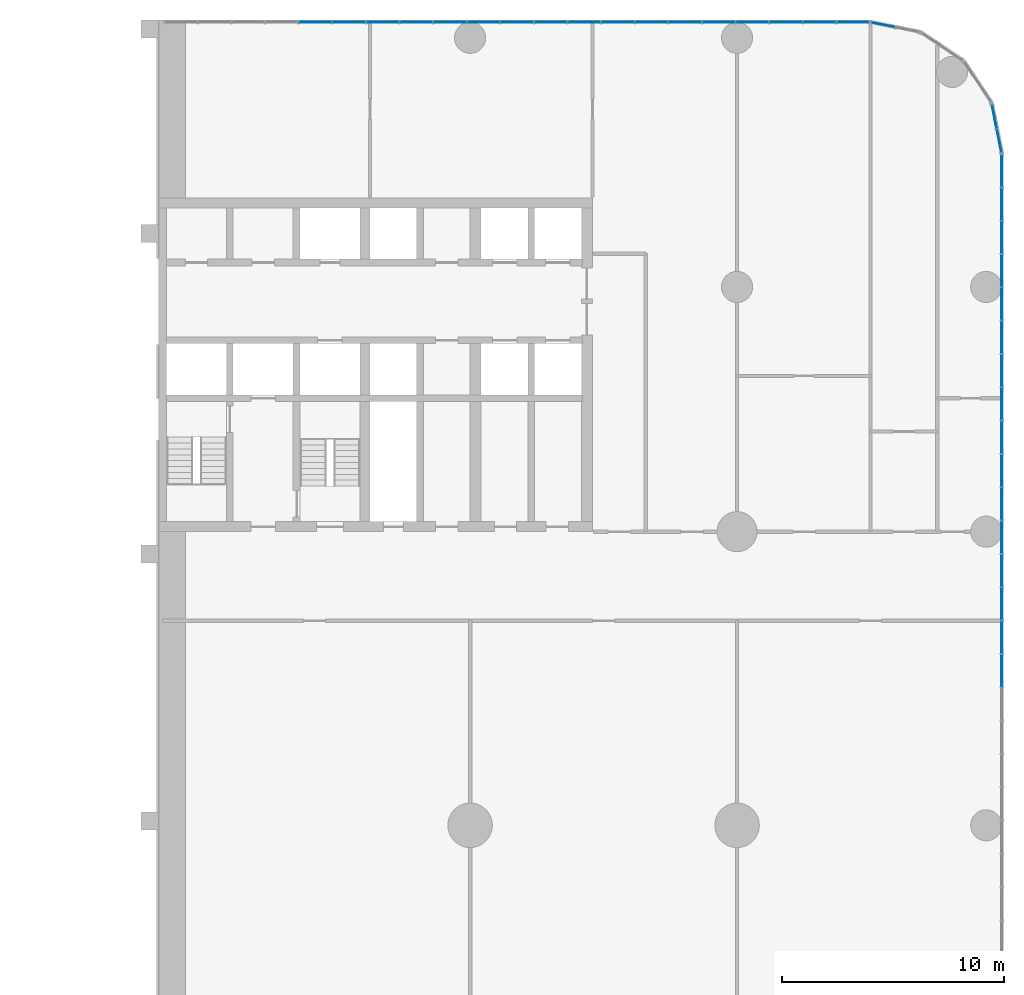
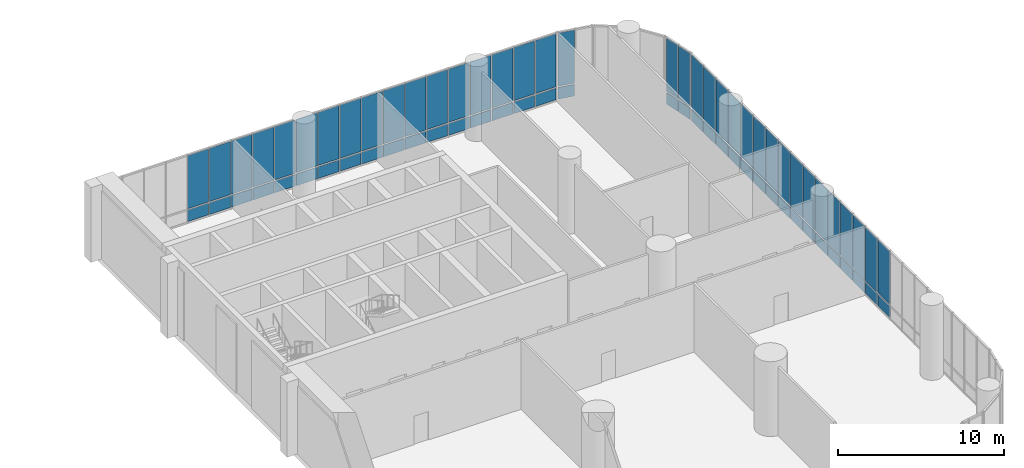
# One storey, part 20 of 28: 72 plates, 4 elements without a shape of their own.
"""IFC4 building model written with IfcOpenShell, lengths in metres."""

import ifcopenshell
import ifcopenshell.guid

model = None  # the IFC model being written
_history = None  # IfcOwnerHistory: only IFC2X3 demands one
_inside = {}  # id of a spatial element -> (the spatial element, [elements in it])
_under = {}  # id of a project, library or spatial element -> (it, [spatial elements below it])
_declared = {}  # id of a project -> (the project, [libraries it declares])
_typed = {}  # id of a type object -> (the type object, [elements of that type])
_made_of = {}  # id of a material, layer set ... -> (it, [elements and type objects made of it])


def new_model(schema):
    """Start an empty IFC model of exactly this schema.

    Asked for "IFC4X3", IfcOpenShell would pick the latest addendum, in which some entities
    have other attributes; the version numbers below select the first issue.
    IFC2X3 requires an IfcOwnerHistory on every rooted entity: one is made here for all.
    """
    global model, _history
    if schema == "IFC4X3":
        model = ifcopenshell.file(schema_version=(4, 3, 0, 0))
    else:
        model = ifcopenshell.file(schema=schema)
    _inside.clear()
    _under.clear()
    _declared.clear()
    _typed.clear()
    _made_of.clear()
    _history = None
    if model.schema == "IFC2X3":
        org = make("IfcOrganization", Name="unknown")
        user = make(
            "IfcPersonAndOrganization",
            ThePerson=make("IfcPerson", FamilyName="unknown"),
            TheOrganization=org,
        )
        app = make(
            "IfcApplication",
            ApplicationDeveloper=org,
            Version="unknown",
            ApplicationFullName="unknown",
            ApplicationIdentifier="unknown",
        )
        _history = make(
            "IfcOwnerHistory",
            OwningUser=user,
            OwningApplication=app,
            ChangeAction="ADDED",
            CreationDate=0,
        )
    return model


def make(cls, **values):
    """One entity of the class cls with the attributes given. An attribute that is None is left unset."""
    return model.create_entity(
        cls, **{name: value for name, value in values.items() if value is not None}
    )


def rooted(cls, **values):
    """An entity with a GlobalId (a new one), such as an element, a storey or a relation."""
    return make(cls, GlobalId=ifcopenshell.guid.new(), OwnerHistory=_history, **values)


def si_unit(unit_type, name, prefix=None):
    """IfcSIUnit, for example si_unit("LENGTHUNIT", "METRE", prefix="MILLI")."""
    return make("IfcSIUnit", UnitType=unit_type, Prefix=prefix, Name=name)


def assignment(units):
    """IfcUnitAssignment: the units of a project."""
    return None if units is None else make("IfcUnitAssignment", Units=units)


def point(xyz):
    """IfcCartesianPoint."""
    return None if xyz is None else make("IfcCartesianPoint", Coordinates=xyz)


def direction(xyz):
    """IfcDirection."""
    return None if xyz is None else make("IfcDirection", DirectionRatios=xyz)


def frame(location, z_axis=None, x_axis=None):
    """IfcAxis2Placement3D, a coordinate frame: its origin and axes. An axis left out is left unset."""
    return make(
        "IfcAxis2Placement3D",
        Location=point(location),
        Axis=direction(z_axis),
        RefDirection=direction(x_axis),
    )


def frame_2d(location, x_axis=None):
    """IfcAxis2Placement2D, a coordinate frame in the plane: its origin and x axis."""
    return make(
        "IfcAxis2Placement2D", Location=point(location), RefDirection=direction(x_axis)
    )


def origin():
    """The frame at (0, 0, 0) with its axes left unset."""
    return frame((0.0, 0.0, 0.0))


def origin_2d():
    """The frame at (0, 0) in the plane with its x axis left unset."""
    return frame_2d((0.0, 0.0))


def place(relative_to, where):
    """IfcLocalPlacement: puts the frame where relative to a parent placement (None: the world)."""
    return make(
        "IfcLocalPlacement", PlacementRelTo=relative_to, RelativePlacement=where
    )


def context(
    kind, dimensions, precision=None, world=None, true_north=None, identifier=None
):
    """IfcGeometricRepresentationContext, for example the 3D "Model" context."""
    return make(
        "IfcGeometricRepresentationContext",
        ContextIdentifier=identifier,
        ContextType=kind,
        CoordinateSpaceDimension=dimensions,
        Precision=precision,
        WorldCoordinateSystem=world,
        TrueNorth=true_north,
    )


def subcontext(parent, identifier, kind, view, scale=None):
    """IfcGeometricRepresentationSubContext, for example "Body" below "Model"."""
    return make(
        "IfcGeometricRepresentationSubContext",
        ContextIdentifier=identifier,
        ContextType=kind,
        ParentContext=parent,
        TargetScale=scale,
        TargetView=view,
    )


def project(units=None, contexts=None):
    """IfcProject with its units and contexts."""
    return rooted(
        "IfcProject",
        Name="project",
        RepresentationContexts=contexts,
        UnitsInContext=assignment(units),
    )


def spatial(cls, under=None, at=None, **own):
    """A site, building, storey or space (cls), placed at a placement, below another one or the project."""
    s = rooted(cls, ObjectPlacement=at, **own)
    if under is not None:
        _under.setdefault(under.id(), (under, []))[1].append(s)
    return s


def profile(cls, at=None, kind="AREA", **sizes):
    """A parametric profile (cls). Its sizes go by their IFC names, for example OverallWidth=200.0."""
    return make(cls, ProfileType=kind, Position=at, **sizes)


def rectangle(**sizes):
    """IfcRectangleProfileDef."""
    return profile("IfcRectangleProfileDef", **sizes)


def extrude(swept, where, along, depth):
    """IfcExtrudedAreaSolid: the profile swept, set in the frame where, extruded along a direction by depth."""
    return make(
        "IfcExtrudedAreaSolid",
        SweptArea=swept,
        Position=where,
        ExtrudedDirection=direction(along),
        Depth=depth,
    )


def shape(context_of_items, identifier, shape_type, items):
    """IfcShapeRepresentation: the items that make up one representation, for example the "Body"."""
    return make(
        "IfcShapeRepresentation",
        ContextOfItems=context_of_items,
        RepresentationIdentifier=identifier,
        RepresentationType=shape_type,
        Items=items,
    )


def material(Name=None, Category=None):
    """IfcMaterial."""
    return make("IfcMaterial", Name=Name, Category=Category)


def layer(
    of_material, thickness, ventilated=None, Name=None, Category=None, Priority=None
):
    """IfcMaterialLayer: one layer of a wall or slab, of a material (None: an air gap)."""
    return make(
        "IfcMaterialLayer",
        Material=of_material,
        LayerThickness=thickness,
        IsVentilated=ventilated,
        Name=Name,
        Category=Category,
        Priority=Priority,
    )


def layer_set(layers, Name=None):
    """IfcMaterialLayerSet."""
    return make("IfcMaterialLayerSet", MaterialLayers=layers, LayerSetName=Name)


def made_of(thing, what):
    """Note that an element or type object is made of a material, layer set ...; save() writes the relation."""
    if what is not None:
        _made_of.setdefault(what.id(), (what, []))[1].append(thing)
    return thing


def type_object(cls, material=None, **own):
    """A type object (cls), such as IfcWallType, which elements share."""
    return made_of(rooted(cls, **own), material)


def element(
    cls,
    number,
    at=None,
    inside=None,
    cuts=None,
    type_object=None,
    material=None,
    context=None,
    identifier="Body",
    shape_type=None,
    held_by="IfcProductDefinitionShape",
    body=None,
    shapes=None,
    **own,
):
    """One element of the class cls, such as IfcWall. Its Tag is "e" and its number.

    at: its placement. inside: the storey or other place that contains it. cuts: it is an
    opening in that element (IfcRelVoidsElement). A single representation is given by context,
    identifier, shape_type and body (its items); several are given by shapes. held_by: the class
    of the entity that holds the representations. save() writes the other relations.
    """
    e = rooted(cls, Tag="e%d" % number, ObjectPlacement=at, **own)
    if body is not None:
        shapes = [shape(context, identifier, shape_type, body)]
    if shapes is not None:
        e.Representation = make(held_by, Representations=shapes)
    if inside is not None:
        _inside.setdefault(inside.id(), (inside, []))[1].append(e)
    if cuts is not None:
        rooted(
            "IfcRelVoidsElement", RelatingBuildingElement=cuts, RelatedOpeningElement=e
        )
    if type_object is not None:
        _typed.setdefault(type_object.id(), (type_object, []))[1].append(e)
    return made_of(e, material)


def aggregate(whole, parts):
    """IfcRelAggregates: a whole, such as a stair, and the parts it consists of."""
    return rooted("IfcRelAggregates", RelatingObject=whole, RelatedObjects=parts)


def save(model, path):
    """Write the relations noted so far, then the file.

    IfcRelAggregates (storeys below a building ...), IfcRelContainedInSpatialStructure (elements
    in a storey), IfcRelDefinesByType, IfcRelAssociatesMaterial and IfcRelDeclares: one each for
    every whole, place, type object, material and project.
    """
    for whole, parts in _under.values():
        aggregate(whole, parts)
    for where, things in _inside.values():
        rooted(
            "IfcRelContainedInSpatialStructure",
            RelatedElements=things,
            RelatingStructure=where,
        )
    for kind, things in _typed.values():
        rooted("IfcRelDefinesByType", RelatedObjects=things, RelatingType=kind)
    for what, things in _made_of.values():
        rooted("IfcRelAssociatesMaterial", RelatedObjects=things, RelatingMaterial=what)
    for by, libraries in _declared.values():
        rooted("IfcRelDeclares", RelatingContext=by, RelatedDefinitions=libraries)
    model.write(path)


model = new_model("IFC4")

# Units and contexts
model_context = context("Model", 3, precision=1e-05, world=origin(), true_north=direction((0.0, 1.0)))
body_context = subcontext(model_context, "Body", "Model", "MODEL_VIEW")
ifc_project = project(units=[si_unit("LENGTHUNIT", "METRE"), si_unit("AREAUNIT", "SQUARE_METRE"), si_unit("VOLUMEUNIT", "CUBIC_METRE"), si_unit("PLANEANGLEUNIT", "RADIAN"), si_unit("MASSUNIT", "GRAM", prefix="KILO")], contexts=[model_context])

# Site, building, storey
site_placement = place(None, origin())
site = spatial("IfcSite", under=ifc_project, at=site_placement, CompositionType="ELEMENT")
building_placement = place(site_placement, origin())
building = spatial("IfcBuilding", under=site, at=building_placement, Name="Torana Hotel and Residences", CompositionType="ELEMENT")
storey_placement = place(building_placement, frame((0.0, 0.0, 7.0)))
storey = spatial("IfcBuildingStorey", under=building, at=storey_placement, Name="L01", CompositionType="ELEMENT", Elevation=7.0)

# Curtain wall, plates
ifc_material_1 = material(Name="Dark anodised aluminium", Category="aluminium")
ifc_layer_1 = layer(ifc_material_1, 0.14990234375)
ifc_layer_set_1 = layer_set([ifc_layer_1], Name="CW5 PODIUM UPPER UNITISED CURTAIN WALL")
curtain_wall_type = type_object("IfcCurtainWallType", Name="CW5 PODIUM UPPER UNITISED CURTAIN WALL", PredefinedType="NOTDEFINED", material=ifc_layer_set_1)
curtain_wall_1_placement = place(storey_placement, origin())
curtain_wall_1 = element("IfcCurtainWall", 1, at=curtain_wall_1_placement, inside=storey, type_object=curtain_wall_type, Name="Curtain wall CW5 L01 e1.5", PredefinedType="NOTDEFINED")
ifc_material_2 = material(Name="Glass clear low-iron laminated double glazed unit", Category="glass")
ifc_layer_2 = layer(ifc_material_2, 0.035888671875)
ifc_layer_set_2 = layer_set([ifc_layer_2], Name="CW5 DARK GLASS PANEL 36")
plate_type = type_object("IfcPlateType", Name="CW5 DARK GLASS PANEL 36", PredefinedType="CURTAIN_PANEL", material=ifc_layer_set_2)
plate_1_placement = place(storey_placement, frame((47.89990234375, -21.242919921875, 0.099853515625), z_axis=(0.0, 0.0, 1.0), x_axis=(0.0, 1.0, 0.0)))
plate_1 = element("IfcPlate", 2, at=plate_1_placement, type_object=plate_type, Name="CW5 panel 9.1", PredefinedType="CURTAIN_PANEL", context=body_context, shape_type="SweptSolid", body=[
    extrude(rectangle(XDim=1.43798828125, YDim=0.035888671875, at=origin_2d()), origin(), (0.0, 0.0, 1.0), 0.85009765625),
])
plate_2_placement = place(storey_placement, frame((47.89990234375, -21.242919921875, 1.050048828125), z_axis=(0.0, 0.0, 1.0), x_axis=(0.0, 1.0, 0.0)))
plate_2 = element("IfcPlate", 3, at=plate_2_placement, type_object=plate_type, Name="CW5 panel 9.2", PredefinedType="CURTAIN_PANEL", context=body_context, shape_type="SweptSolid", body=[
    extrude(rectangle(XDim=1.43798828125, YDim=0.035888671875, at=origin_2d()), origin(), (0.0, 0.0, 1.0), 3.89990234375),
])
plate_3_placement = place(storey_placement, frame((47.89990234375, -19.744873046875, 0.099853515625), z_axis=(0.0, 0.0, 1.0), x_axis=(0.0, 1.0, 0.0)))
plate_3 = element("IfcPlate", 4, at=plate_3_placement, type_object=plate_type, Name="CW5 panel 10.1", PredefinedType="CURTAIN_PANEL", context=body_context, shape_type="SweptSolid", body=[
    extrude(rectangle(XDim=1.43798828125, YDim=0.035888671875, at=origin_2d()), origin(), (0.0, 0.0, 1.0), 0.85009765625),
])
plate_4_placement = place(storey_placement, frame((47.89990234375, -19.744873046875, 1.050048828125), z_axis=(0.0, 0.0, 1.0), x_axis=(0.0, 1.0, 0.0)))
plate_4 = element("IfcPlate", 5, at=plate_4_placement, type_object=plate_type, Name="CW5 panel 10.2", PredefinedType="CURTAIN_PANEL", context=body_context, shape_type="SweptSolid", body=[
    extrude(rectangle(XDim=1.43798828125, YDim=0.035888671875, at=origin_2d()), origin(), (0.0, 0.0, 1.0), 3.89990234375),
])
plate_5_placement = place(storey_placement, frame((47.89990234375, -18.246826171875, 0.099853515625), z_axis=(0.0, 0.0, 1.0), x_axis=(0.0, 1.0, 0.0)))
plate_5 = element("IfcPlate", 6, at=plate_5_placement, type_object=plate_type, Name="CW5 panel 11.1", PredefinedType="CURTAIN_PANEL", context=body_context, shape_type="SweptSolid", body=[
    extrude(rectangle(XDim=1.43798828125, YDim=0.035888671875, at=origin_2d()), origin(), (0.0, 0.0, 1.0), 0.85009765625),
])
plate_6_placement = place(storey_placement, frame((47.89990234375, -18.246826171875, 1.050048828125), z_axis=(0.0, 0.0, 1.0), x_axis=(0.0, 1.0, 0.0)))
plate_6 = element("IfcPlate", 7, at=plate_6_placement, type_object=plate_type, Name="CW5 panel 11.2", PredefinedType="CURTAIN_PANEL", context=body_context, shape_type="SweptSolid", body=[
    extrude(rectangle(XDim=1.43798828125, YDim=0.035888671875, at=origin_2d()), origin(), (0.0, 0.0, 1.0), 3.89990234375),
])
plate_7_placement = place(storey_placement, frame((47.89990234375, -16.7490234375, 0.099853515625), z_axis=(0.0, 0.0, 1.0), x_axis=(0.0, 1.0, 0.0)))
plate_7 = element("IfcPlate", 8, at=plate_7_placement, type_object=plate_type, Name="CW5 panel 12.1", PredefinedType="CURTAIN_PANEL", context=body_context, shape_type="SweptSolid", body=[
    extrude(rectangle(XDim=1.43798828125, YDim=0.035888671875, at=origin_2d()), origin(), (0.0, 0.0, 1.0), 0.85009765625),
])
plate_8_placement = place(storey_placement, frame((47.89990234375, -16.7490234375, 1.050048828125), z_axis=(0.0, 0.0, 1.0), x_axis=(0.0, 1.0, 0.0)))
plate_8 = element("IfcPlate", 9, at=plate_8_placement, type_object=plate_type, Name="CW5 panel 12.2", PredefinedType="CURTAIN_PANEL", context=body_context, shape_type="SweptSolid", body=[
    extrude(rectangle(XDim=1.43798828125, YDim=0.035888671875, at=origin_2d()), origin(), (0.0, 0.0, 1.0), 3.89990234375),
])
plate_9_placement = place(storey_placement, frame((47.89990234375, -15.2509765625, 0.099853515625), z_axis=(0.0, 0.0, 1.0), x_axis=(0.0, 1.0, 0.0)))
plate_9 = element("IfcPlate", 10, at=plate_9_placement, type_object=plate_type, Name="CW5 panel 13.1", PredefinedType="CURTAIN_PANEL", context=body_context, shape_type="SweptSolid", body=[
    extrude(rectangle(XDim=1.43798828125, YDim=0.035888671875, at=origin_2d()), origin(), (0.0, 0.0, 1.0), 0.85009765625),
])
plate_10_placement = place(storey_placement, frame((47.89990234375, -15.2509765625, 1.050048828125), z_axis=(0.0, 0.0, 1.0), x_axis=(0.0, 1.0, 0.0)))
plate_10 = element("IfcPlate", 11, at=plate_10_placement, type_object=plate_type, Name="CW5 panel 13.2", PredefinedType="CURTAIN_PANEL", context=body_context, shape_type="SweptSolid", body=[
    extrude(rectangle(XDim=1.43798828125, YDim=0.035888671875, at=origin_2d()), origin(), (0.0, 0.0, 1.0), 3.89990234375),
])
plate_11_placement = place(storey_placement, frame((47.89990234375, -13.753173828125, 0.099853515625), z_axis=(0.0, 0.0, 1.0), x_axis=(0.0, 1.0, 0.0)))
plate_11 = element("IfcPlate", 12, at=plate_11_placement, type_object=plate_type, Name="CW5 panel 14.1", PredefinedType="CURTAIN_PANEL", context=body_context, shape_type="SweptSolid", body=[
    extrude(rectangle(XDim=1.43798828125, YDim=0.035888671875, at=origin_2d()), origin(), (0.0, 0.0, 1.0), 0.85009765625),
])
plate_12_placement = place(storey_placement, frame((47.89990234375, -13.753173828125, 1.050048828125), z_axis=(0.0, 0.0, 1.0), x_axis=(0.0, 1.0, 0.0)))
plate_12 = element("IfcPlate", 13, at=plate_12_placement, type_object=plate_type, Name="CW5 panel 14.2", PredefinedType="CURTAIN_PANEL", context=body_context, shape_type="SweptSolid", body=[
    extrude(rectangle(XDim=1.43798828125, YDim=0.035888671875, at=origin_2d()), origin(), (0.0, 0.0, 1.0), 3.89990234375),
])
plate_13_placement = place(storey_placement, frame((47.89990234375, -12.255126953125, 0.099853515625), z_axis=(0.0, 0.0, 1.0), x_axis=(0.0, 1.0, 0.0)))
plate_13 = element("IfcPlate", 14, at=plate_13_placement, type_object=plate_type, Name="CW5 panel 15.1", PredefinedType="CURTAIN_PANEL", context=body_context, shape_type="SweptSolid", body=[
    extrude(rectangle(XDim=1.43798828125, YDim=0.035888671875, at=origin_2d()), origin(), (0.0, 0.0, 1.0), 0.85009765625),
])
plate_14_placement = place(storey_placement, frame((47.89990234375, -12.255126953125, 1.050048828125), z_axis=(0.0, 0.0, 1.0), x_axis=(0.0, 1.0, 0.0)))
plate_14 = element("IfcPlate", 15, at=plate_14_placement, type_object=plate_type, Name="CW5 panel 15.2", PredefinedType="CURTAIN_PANEL", context=body_context, shape_type="SweptSolid", body=[
    extrude(rectangle(XDim=1.43798828125, YDim=0.035888671875, at=origin_2d()), origin(), (0.0, 0.0, 1.0), 3.89990234375),
])
plate_15_placement = place(storey_placement, frame((47.89990234375, -10.757080078125, 0.099853515625), z_axis=(0.0, 0.0, 1.0), x_axis=(0.0, 1.0, 0.0)))
plate_15 = element("IfcPlate", 16, at=plate_15_placement, type_object=plate_type, Name="CW5 panel 16.1", PredefinedType="CURTAIN_PANEL", context=body_context, shape_type="SweptSolid", body=[
    extrude(rectangle(XDim=1.43798828125, YDim=0.035888671875, at=origin_2d()), origin(), (0.0, 0.0, 1.0), 0.85009765625),
])
plate_16_placement = place(storey_placement, frame((47.89990234375, -10.757080078125, 1.050048828125), z_axis=(0.0, 0.0, 1.0), x_axis=(0.0, 1.0, 0.0)))
plate_16 = element("IfcPlate", 17, at=plate_16_placement, type_object=plate_type, Name="CW5 panel 16.2", PredefinedType="CURTAIN_PANEL", context=body_context, shape_type="SweptSolid", body=[
    extrude(rectangle(XDim=1.43798828125, YDim=0.035888671875, at=origin_2d()), origin(), (0.0, 0.0, 1.0), 3.89990234375),
])
plate_17_placement = place(storey_placement, frame((47.89990234375, -9.25927734375, 0.099853515625), z_axis=(0.0, 0.0, 1.0), x_axis=(0.0, 1.0, 0.0)))
plate_17 = element("IfcPlate", 18, at=plate_17_placement, type_object=plate_type, Name="CW5 panel 17.1", PredefinedType="CURTAIN_PANEL", context=body_context, shape_type="SweptSolid", body=[
    extrude(rectangle(XDim=1.43798828125, YDim=0.035888671875, at=origin_2d()), origin(), (0.0, 0.0, 1.0), 0.85009765625),
])
plate_18_placement = place(storey_placement, frame((47.89990234375, -9.25927734375, 1.050048828125), z_axis=(0.0, 0.0, 1.0), x_axis=(0.0, 1.0, 0.0)))
plate_18 = element("IfcPlate", 19, at=plate_18_placement, type_object=plate_type, Name="CW5 panel 17.2", PredefinedType="CURTAIN_PANEL", context=body_context, shape_type="SweptSolid", body=[
    extrude(rectangle(XDim=1.43798828125, YDim=0.035888671875, at=origin_2d()), origin(), (0.0, 0.0, 1.0), 3.89990234375),
])
plate_19_placement = place(storey_placement, frame((47.89990234375, -7.76123046875, 0.099853515625), z_axis=(0.0, 0.0, 1.0), x_axis=(0.0, 1.0, 0.0)))
plate_19 = element("IfcPlate", 20, at=plate_19_placement, type_object=plate_type, Name="CW5 panel 18.1", PredefinedType="CURTAIN_PANEL", context=body_context, shape_type="SweptSolid", body=[
    extrude(rectangle(XDim=1.43798828125, YDim=0.035888671875, at=origin_2d()), origin(), (0.0, 0.0, 1.0), 0.85009765625),
])
plate_20_placement = place(storey_placement, frame((47.89990234375, -7.76123046875, 1.050048828125), z_axis=(0.0, 0.0, 1.0), x_axis=(0.0, 1.0, 0.0)))
plate_20 = element("IfcPlate", 21, at=plate_20_placement, type_object=plate_type, Name="CW5 panel 18.2", PredefinedType="CURTAIN_PANEL", context=body_context, shape_type="SweptSolid", body=[
    extrude(rectangle(XDim=1.43798828125, YDim=0.035888671875, at=origin_2d()), origin(), (0.0, 0.0, 1.0), 3.89990234375),
])
plate_21_placement = place(storey_placement, frame((47.89990234375, -6.263427734375, 0.099853515625), z_axis=(0.0, 0.0, 1.0), x_axis=(0.0, 1.0, 0.0)))
plate_21 = element("IfcPlate", 22, at=plate_21_placement, type_object=plate_type, Name="CW5 panel 19.1", PredefinedType="CURTAIN_PANEL", context=body_context, shape_type="SweptSolid", body=[
    extrude(rectangle(XDim=1.43798828125, YDim=0.035888671875, at=origin_2d()), origin(), (0.0, 0.0, 1.0), 0.85009765625),
])
plate_22_placement = place(storey_placement, frame((47.89990234375, -6.263427734375, 1.050048828125), z_axis=(0.0, 0.0, 1.0), x_axis=(0.0, 1.0, 0.0)))
plate_22 = element("IfcPlate", 23, at=plate_22_placement, type_object=plate_type, Name="CW5 panel 19.2", PredefinedType="CURTAIN_PANEL", context=body_context, shape_type="SweptSolid", body=[
    extrude(rectangle(XDim=1.43798828125, YDim=0.035888671875, at=origin_2d()), origin(), (0.0, 0.0, 1.0), 3.89990234375),
])
plate_23_placement = place(storey_placement, frame((47.89990234375, -4.765380859375, 0.099853515625), z_axis=(0.0, 0.0, 1.0), x_axis=(0.0, 1.0, 0.0)))
plate_23 = element("IfcPlate", 24, at=plate_23_placement, type_object=plate_type, Name="CW5 panel 20.1", PredefinedType="CURTAIN_PANEL", context=body_context, shape_type="SweptSolid", body=[
    extrude(rectangle(XDim=1.43798828125, YDim=0.035888671875, at=origin_2d()), origin(), (0.0, 0.0, 1.0), 0.85009765625),
])
plate_24_placement = place(storey_placement, frame((47.89990234375, -4.765380859375, 1.050048828125), z_axis=(0.0, 0.0, 1.0), x_axis=(0.0, 1.0, 0.0)))
plate_24 = element("IfcPlate", 25, at=plate_24_placement, type_object=plate_type, Name="CW5 panel 20.2", PredefinedType="CURTAIN_PANEL", context=body_context, shape_type="SweptSolid", body=[
    extrude(rectangle(XDim=1.43798828125, YDim=0.035888671875, at=origin_2d()), origin(), (0.0, 0.0, 1.0), 3.89990234375),
])
plate_25_placement = place(storey_placement, frame((47.89990234375, -3.267333984375, 0.099853515625), z_axis=(0.0, 0.0, 1.0), x_axis=(0.0, 1.0, 0.0)))
plate_25 = element("IfcPlate", 26, at=plate_25_placement, type_object=plate_type, Name="CW5 panel 21.1", PredefinedType="CURTAIN_PANEL", context=body_context, shape_type="SweptSolid", body=[
    extrude(rectangle(XDim=1.43798828125, YDim=0.035888671875, at=origin_2d()), origin(), (0.0, 0.0, 1.0), 0.85009765625),
])
plate_26_placement = place(storey_placement, frame((47.89990234375, -3.267333984375, 1.050048828125), z_axis=(0.0, 0.0, 1.0), x_axis=(0.0, 1.0, 0.0)))
plate_26 = element("IfcPlate", 27, at=plate_26_placement, type_object=plate_type, Name="CW5 panel 21.2", PredefinedType="CURTAIN_PANEL", context=body_context, shape_type="SweptSolid", body=[
    extrude(rectangle(XDim=1.43798828125, YDim=0.035888671875, at=origin_2d()), origin(), (0.0, 0.0, 1.0), 3.89990234375),
])
plate_27_placement = place(storey_placement, frame((47.89990234375, -1.76953125, 0.099853515625), z_axis=(0.0, 0.0, 1.0), x_axis=(0.0, 1.0, 0.0)))
plate_27 = element("IfcPlate", 28, at=plate_27_placement, type_object=plate_type, Name="CW5 panel 22.1", PredefinedType="CURTAIN_PANEL", context=body_context, shape_type="SweptSolid", body=[
    extrude(rectangle(XDim=1.43798828125, YDim=0.035888671875, at=origin_2d()), origin(), (0.0, 0.0, 1.0), 0.85009765625),
])
plate_28_placement = place(storey_placement, frame((47.89990234375, -1.76953125, 1.050048828125), z_axis=(0.0, 0.0, 1.0), x_axis=(0.0, 1.0, 0.0)))
plate_28 = element("IfcPlate", 29, at=plate_28_placement, type_object=plate_type, Name="CW5 panel 22.2", PredefinedType="CURTAIN_PANEL", context=body_context, shape_type="SweptSolid", body=[
    extrude(rectangle(XDim=1.43798828125, YDim=0.035888671875, at=origin_2d()), origin(), (0.0, 0.0, 1.0), 3.89990234375),
])
plate_29_placement = place(storey_placement, frame((47.89990234375, -0.271484375, 0.099853515625), z_axis=(0.0, 0.0, 1.0), x_axis=(0.0, 1.0, 0.0)))
plate_29 = element("IfcPlate", 30, at=plate_29_placement, type_object=plate_type, Name="CW5 panel 23.1", PredefinedType="CURTAIN_PANEL", context=body_context, shape_type="SweptSolid", body=[
    extrude(rectangle(XDim=1.43798828125, YDim=0.035888671875, at=origin_2d()), origin(), (0.0, 0.0, 1.0), 0.85009765625),
])
plate_30_placement = place(storey_placement, frame((47.89990234375, -0.271484375, 1.050048828125), z_axis=(0.0, 0.0, 1.0), x_axis=(0.0, 1.0, 0.0)))
plate_30 = element("IfcPlate", 31, at=plate_30_placement, type_object=plate_type, Name="CW5 panel 23.2", PredefinedType="CURTAIN_PANEL", context=body_context, shape_type="SweptSolid", body=[
    extrude(rectangle(XDim=1.43798828125, YDim=0.035888671875, at=origin_2d()), origin(), (0.0, 0.0, 1.0), 3.89990234375),
])
plate_31_placement = place(storey_placement, frame((47.89990234375, 1.21142578125, 0.099853515625), z_axis=(0.0, 0.0, 1.0), x_axis=(0.0, 1.0, 0.0)))
plate_31 = element("IfcPlate", 32, at=plate_31_placement, type_object=plate_type, Name="CW5 panel 24.1", PredefinedType="CURTAIN_PANEL", context=body_context, shape_type="SweptSolid", body=[
    extrude(rectangle(XDim=1.407958984375, YDim=0.035888671875, at=origin_2d()), origin(), (0.0, 0.0, 1.0), 0.85009765625),
])
plate_32_placement = place(storey_placement, frame((47.89990234375, 1.21142578125, 1.050048828125), z_axis=(0.0, 0.0, 1.0), x_axis=(0.0, 1.0, 0.0)))
plate_32 = element("IfcPlate", 33, at=plate_32_placement, type_object=plate_type, Name="CW5 panel 24.2", PredefinedType="CURTAIN_PANEL", context=body_context, shape_type="SweptSolid", body=[
    extrude(rectangle(XDim=1.407958984375, YDim=0.035888671875, at=origin_2d()), origin(), (0.0, 0.0, 1.0), 3.89990234375),
])
aggregate(curtain_wall_1, [plate_1, plate_2, plate_3, plate_4, plate_5, plate_6, plate_7, plate_8, plate_9, plate_10, plate_11, plate_12, plate_13, plate_14, plate_15, plate_16, plate_17, plate_18, plate_19, plate_20, plate_21, plate_22, plate_23, plate_24, plate_25, plate_26, plate_27, plate_28, plate_29, plate_30, plate_31, plate_32])

curtain_wall_2_placement = place(storey_placement, origin())
curtain_wall_2 = element("IfcCurtainWall", 34, at=curtain_wall_2_placement, inside=storey, type_object=curtain_wall_type, Name="Curtain wall CW5 L01 e1.6", PredefinedType="NOTDEFINED")
plate_33_placement = place(storey_placement, frame((47.78369140625, 2.5751953125, 0.099853515625), z_axis=(0.0, 0.0, 1.0), x_axis=(-0.195080996415, 0.980787135335, 0.0)))
plate_33 = element("IfcPlate", 35, at=plate_33_placement, type_object=plate_type, Name="CW5 panel 1.1", PredefinedType="CURTAIN_PANEL", context=body_context, shape_type="SweptSolid", body=[
    extrude(rectangle(XDim=1.04345703125, YDim=0.035888671875, at=origin_2d()), origin(), (0.0, 0.0, 1.0), 0.85009765625),
])
plate_34_placement = place(storey_placement, frame((47.78369140625, 2.5751953125, 1.050048828125), z_axis=(0.0, 0.0, 1.0), x_axis=(-0.195080996415, 0.980787135335, 0.0)))
plate_34 = element("IfcPlate", 36, at=plate_34_placement, type_object=plate_type, Name="CW5 panel 1.2", PredefinedType="CURTAIN_PANEL", context=body_context, shape_type="SweptSolid", body=[
    extrude(rectangle(XDim=1.04345703125, YDim=0.035888671875, at=origin_2d()), origin(), (0.0, 0.0, 1.0), 3.89990234375),
])
plate_35_placement = place(storey_placement, frame((47.568359375, 3.6572265625, 0.099853515625), z_axis=(0.0, 0.0, 1.0), x_axis=(-0.195080996415, 0.980787135335, 0.0)))
plate_35 = element("IfcPlate", 37, at=plate_35_placement, type_object=plate_type, Name="CW5 panel 2.1", PredefinedType="CURTAIN_PANEL", context=body_context, shape_type="SweptSolid", body=[
    extrude(rectangle(XDim=1.04345703125, YDim=0.035888671875, at=origin_2d()), origin(), (0.0, 0.0, 1.0), 0.85009765625),
])
plate_36_placement = place(storey_placement, frame((47.568359375, 3.6572265625, 1.050048828125), z_axis=(0.0, 0.0, 1.0), x_axis=(-0.195080996415, 0.980787135335, 0.0)))
plate_36 = element("IfcPlate", 38, at=plate_36_placement, type_object=plate_type, Name="CW5 panel 2.2", PredefinedType="CURTAIN_PANEL", context=body_context, shape_type="SweptSolid", body=[
    extrude(rectangle(XDim=1.04345703125, YDim=0.035888671875, at=origin_2d()), origin(), (0.0, 0.0, 1.0), 3.89990234375),
])
aggregate(curtain_wall_2, [plate_33, plate_34, plate_35, plate_36])

curtain_wall_3_placement = place(storey_placement, origin())
curtain_wall_3 = element("IfcCurtainWall", 39, at=curtain_wall_3_placement, inside=storey, type_object=curtain_wall_type, Name="Curtain wall CW5 L01 e1.9", PredefinedType="NOTDEFINED")
plate_37_placement = place(storey_placement, frame((42.5751953125, 7.78369140625, 0.099853515625), z_axis=(0.0, 0.0, 1.0), x_axis=(-0.980787135335, 0.195080996415, 0.0)))
plate_37 = element("IfcPlate", 40, at=plate_37_placement, type_object=plate_type, Name="CW5 panel 2.1", PredefinedType="CURTAIN_PANEL", context=body_context, shape_type="SweptSolid", body=[
    extrude(rectangle(XDim=1.04345703125, YDim=0.035888671875, at=origin_2d()), origin(), (0.0, 0.0, 1.0), 0.85009765625),
])
plate_38_placement = place(storey_placement, frame((42.5751953125, 7.78369140625, 1.050048828125), z_axis=(0.0, 0.0, 1.0), x_axis=(-0.980787135335, 0.195080996415, 0.0)))
plate_38 = element("IfcPlate", 41, at=plate_38_placement, type_object=plate_type, Name="CW5 panel 2.2", PredefinedType="CURTAIN_PANEL", context=body_context, shape_type="SweptSolid", body=[
    extrude(rectangle(XDim=1.04345703125, YDim=0.035888671875, at=origin_2d()), origin(), (0.0, 0.0, 1.0), 3.89990234375),
])
aggregate(curtain_wall_3, [plate_37, plate_38])

curtain_wall_4_placement = place(storey_placement, origin())
curtain_wall_4 = element("IfcCurtainWall", 42, at=curtain_wall_4_placement, inside=storey, type_object=curtain_wall_type, Name="Curtain wall CW5 L01 e1.10", PredefinedType="NOTDEFINED")
plate_39_placement = place(storey_placement, frame((41.205078125, 7.89990234375, 0.099853515625), z_axis=(0.0, 0.0, 1.0), x_axis=(-1.0, 0.0, 0.0)))
plate_39 = element("IfcPlate", 43, at=plate_39_placement, type_object=plate_type, Name="CW5 panel 1.1", PredefinedType="CURTAIN_PANEL", context=body_context, shape_type="SweptSolid", body=[
    extrude(rectangle(XDim=1.420654296875, YDim=0.035888671875, at=origin_2d()), origin(), (0.0, 0.0, 1.0), 0.85009765625),
])
plate_40_placement = place(storey_placement, frame((41.205078125, 7.89990234375, 1.050048828125), z_axis=(0.0, 0.0, 1.0), x_axis=(-1.0, 0.0, 0.0)))
plate_40 = element("IfcPlate", 44, at=plate_40_placement, type_object=plate_type, Name="CW5 panel 1.2", PredefinedType="CURTAIN_PANEL", context=body_context, shape_type="SweptSolid", body=[
    extrude(rectangle(XDim=1.420654296875, YDim=0.035888671875, at=origin_2d()), origin(), (0.0, 0.0, 1.0), 3.89990234375),
])
plate_41_placement = place(storey_placement, frame((39.709228515625, 7.89990234375, 0.099853515625), z_axis=(0.0, 0.0, 1.0), x_axis=(-1.0, 0.0, 0.0)))
plate_41 = element("IfcPlate", 45, at=plate_41_placement, type_object=plate_type, Name="CW5 panel 2.1", PredefinedType="CURTAIN_PANEL", context=body_context, shape_type="SweptSolid", body=[
    extrude(rectangle(XDim=1.45068359375, YDim=0.035888671875, at=origin_2d()), origin(), (0.0, 0.0, 1.0), 0.85009765625),
])
plate_42_placement = place(storey_placement, frame((39.709228515625, 7.89990234375, 1.050048828125), z_axis=(0.0, 0.0, 1.0), x_axis=(-1.0, 0.0, 0.0)))
plate_42 = element("IfcPlate", 46, at=plate_42_placement, type_object=plate_type, Name="CW5 panel 2.2", PredefinedType="CURTAIN_PANEL", context=body_context, shape_type="SweptSolid", body=[
    extrude(rectangle(XDim=1.45068359375, YDim=0.035888671875, at=origin_2d()), origin(), (0.0, 0.0, 1.0), 3.89990234375),
])
plate_43_placement = place(storey_placement, frame((38.198486328125, 7.89990234375, 0.099853515625), z_axis=(0.0, 0.0, 1.0), x_axis=(-1.0, 0.0, 0.0)))
plate_43 = element("IfcPlate", 47, at=plate_43_placement, type_object=plate_type, Name="CW5 panel 3.1", PredefinedType="CURTAIN_PANEL", context=body_context, shape_type="SweptSolid", body=[
    extrude(rectangle(XDim=1.45068359375, YDim=0.035888671875, at=origin_2d()), origin(), (0.0, 0.0, 1.0), 0.85009765625),
])
plate_44_placement = place(storey_placement, frame((38.198486328125, 7.89990234375, 1.050048828125), z_axis=(0.0, 0.0, 1.0), x_axis=(-1.0, 0.0, 0.0)))
plate_44 = element("IfcPlate", 48, at=plate_44_placement, type_object=plate_type, Name="CW5 panel 3.2", PredefinedType="CURTAIN_PANEL", context=body_context, shape_type="SweptSolid", body=[
    extrude(rectangle(XDim=1.45068359375, YDim=0.035888671875, at=origin_2d()), origin(), (0.0, 0.0, 1.0), 3.89990234375),
])
plate_45_placement = place(storey_placement, frame((36.687744140625, 7.89990234375, 0.099853515625), z_axis=(0.0, 0.0, 1.0), x_axis=(-1.0, 0.0, 0.0)))
plate_45 = element("IfcPlate", 49, at=plate_45_placement, type_object=plate_type, Name="CW5 panel 4.1", PredefinedType="CURTAIN_PANEL", context=body_context, shape_type="SweptSolid", body=[
    extrude(rectangle(XDim=1.45068359375, YDim=0.035888671875, at=origin_2d()), origin(), (0.0, 0.0, 1.0), 0.85009765625),
])
plate_46_placement = place(storey_placement, frame((36.687744140625, 7.89990234375, 1.050048828125), z_axis=(0.0, 0.0, 1.0), x_axis=(-1.0, 0.0, 0.0)))
plate_46 = element("IfcPlate", 50, at=plate_46_placement, type_object=plate_type, Name="CW5 panel 4.2", PredefinedType="CURTAIN_PANEL", context=body_context, shape_type="SweptSolid", body=[
    extrude(rectangle(XDim=1.45068359375, YDim=0.035888671875, at=origin_2d()), origin(), (0.0, 0.0, 1.0), 3.89990234375),
])
plate_47_placement = place(storey_placement, frame((35.177001953125, 7.89990234375, 0.099853515625), z_axis=(0.0, 0.0, 1.0), x_axis=(-1.0, 0.0, 0.0)))
plate_47 = element("IfcPlate", 51, at=plate_47_placement, type_object=plate_type, Name="CW5 panel 5.1", PredefinedType="CURTAIN_PANEL", context=body_context, shape_type="SweptSolid", body=[
    extrude(rectangle(XDim=1.45068359375, YDim=0.035888671875, at=origin_2d()), origin(), (0.0, 0.0, 1.0), 0.85009765625),
])
plate_48_placement = place(storey_placement, frame((35.177001953125, 7.89990234375, 1.050048828125), z_axis=(0.0, 0.0, 1.0), x_axis=(-1.0, 0.0, 0.0)))
plate_48 = element("IfcPlate", 52, at=plate_48_placement, type_object=plate_type, Name="CW5 panel 5.2", PredefinedType="CURTAIN_PANEL", context=body_context, shape_type="SweptSolid", body=[
    extrude(rectangle(XDim=1.45068359375, YDim=0.035888671875, at=origin_2d()), origin(), (0.0, 0.0, 1.0), 3.89990234375),
])
plate_49_placement = place(storey_placement, frame((33.666259765625, 7.89990234375, 0.099853515625), z_axis=(0.0, 0.0, 1.0), x_axis=(-1.0, 0.0, 0.0)))
plate_49 = element("IfcPlate", 53, at=plate_49_placement, type_object=plate_type, Name="CW5 panel 6.1", PredefinedType="CURTAIN_PANEL", context=body_context, shape_type="SweptSolid", body=[
    extrude(rectangle(XDim=1.45068359375, YDim=0.035888671875, at=origin_2d()), origin(), (0.0, 0.0, 1.0), 0.85009765625),
])
plate_50_placement = place(storey_placement, frame((33.666259765625, 7.89990234375, 1.050048828125), z_axis=(0.0, 0.0, 1.0), x_axis=(-1.0, 0.0, 0.0)))
plate_50 = element("IfcPlate", 54, at=plate_50_placement, type_object=plate_type, Name="CW5 panel 6.2", PredefinedType="CURTAIN_PANEL", context=body_context, shape_type="SweptSolid", body=[
    extrude(rectangle(XDim=1.45068359375, YDim=0.035888671875, at=origin_2d()), origin(), (0.0, 0.0, 1.0), 3.89990234375),
])
plate_51_placement = place(storey_placement, frame((32.155517578125, 7.89990234375, 0.099853515625), z_axis=(0.0, 0.0, 1.0), x_axis=(-1.0, 0.0, 0.0)))
plate_51 = element("IfcPlate", 55, at=plate_51_placement, type_object=plate_type, Name="CW5 panel 7.1", PredefinedType="CURTAIN_PANEL", context=body_context, shape_type="SweptSolid", body=[
    extrude(rectangle(XDim=1.45068359375, YDim=0.035888671875, at=origin_2d()), origin(), (0.0, 0.0, 1.0), 0.85009765625),
])
plate_52_placement = place(storey_placement, frame((32.155517578125, 7.89990234375, 1.050048828125), z_axis=(0.0, 0.0, 1.0), x_axis=(-1.0, 0.0, 0.0)))
plate_52 = element("IfcPlate", 56, at=plate_52_placement, type_object=plate_type, Name="CW5 panel 7.2", PredefinedType="CURTAIN_PANEL", context=body_context, shape_type="SweptSolid", body=[
    extrude(rectangle(XDim=1.45068359375, YDim=0.035888671875, at=origin_2d()), origin(), (0.0, 0.0, 1.0), 3.89990234375),
])
plate_53_placement = place(storey_placement, frame((30.64501953125, 7.89990234375, 0.099853515625), z_axis=(0.0, 0.0, 1.0), x_axis=(-1.0, 0.0, 0.0)))
plate_53 = element("IfcPlate", 57, at=plate_53_placement, type_object=plate_type, Name="CW5 panel 8.1", PredefinedType="CURTAIN_PANEL", context=body_context, shape_type="SweptSolid", body=[
    extrude(rectangle(XDim=1.45068359375, YDim=0.035888671875, at=origin_2d()), origin(), (0.0, 0.0, 1.0), 0.85009765625),
])
plate_54_placement = place(storey_placement, frame((30.64501953125, 7.89990234375, 1.050048828125), z_axis=(0.0, 0.0, 1.0), x_axis=(-1.0, 0.0, 0.0)))
plate_54 = element("IfcPlate", 58, at=plate_54_placement, type_object=plate_type, Name="CW5 panel 8.2", PredefinedType="CURTAIN_PANEL", context=body_context, shape_type="SweptSolid", body=[
    extrude(rectangle(XDim=1.45068359375, YDim=0.035888671875, at=origin_2d()), origin(), (0.0, 0.0, 1.0), 3.89990234375),
])
plate_55_placement = place(storey_placement, frame((29.13427734375, 7.89990234375, 0.099853515625), z_axis=(0.0, 0.0, 1.0), x_axis=(-1.0, 0.0, 0.0)))
plate_55 = element("IfcPlate", 59, at=plate_55_placement, type_object=plate_type, Name="CW5 panel 9.1", PredefinedType="CURTAIN_PANEL", context=body_context, shape_type="SweptSolid", body=[
    extrude(rectangle(XDim=1.45068359375, YDim=0.035888671875, at=origin_2d()), origin(), (0.0, 0.0, 1.0), 0.85009765625),
])
plate_56_placement = place(storey_placement, frame((29.13427734375, 7.89990234375, 1.050048828125), z_axis=(0.0, 0.0, 1.0), x_axis=(-1.0, 0.0, 0.0)))
plate_56 = element("IfcPlate", 60, at=plate_56_placement, type_object=plate_type, Name="CW5 panel 9.2", PredefinedType="CURTAIN_PANEL", context=body_context, shape_type="SweptSolid", body=[
    extrude(rectangle(XDim=1.45068359375, YDim=0.035888671875, at=origin_2d()), origin(), (0.0, 0.0, 1.0), 3.89990234375),
])
plate_57_placement = place(storey_placement, frame((27.62353515625, 7.89990234375, 0.099853515625), z_axis=(0.0, 0.0, 1.0), x_axis=(-1.0, 0.0, 0.0)))
plate_57 = element("IfcPlate", 61, at=plate_57_placement, type_object=plate_type, Name="CW5 panel 10.1", PredefinedType="CURTAIN_PANEL", context=body_context, shape_type="SweptSolid", body=[
    extrude(rectangle(XDim=1.45068359375, YDim=0.035888671875, at=origin_2d()), origin(), (0.0, 0.0, 1.0), 0.85009765625),
])
plate_58_placement = place(storey_placement, frame((27.62353515625, 7.89990234375, 1.050048828125), z_axis=(0.0, 0.0, 1.0), x_axis=(-1.0, 0.0, 0.0)))
plate_58 = element("IfcPlate", 62, at=plate_58_placement, type_object=plate_type, Name="CW5 panel 10.2", PredefinedType="CURTAIN_PANEL", context=body_context, shape_type="SweptSolid", body=[
    extrude(rectangle(XDim=1.45068359375, YDim=0.035888671875, at=origin_2d()), origin(), (0.0, 0.0, 1.0), 3.89990234375),
])
plate_59_placement = place(storey_placement, frame((26.11279296875, 7.89990234375, 0.099853515625), z_axis=(0.0, 0.0, 1.0), x_axis=(-1.0, 0.0, 0.0)))
plate_59 = element("IfcPlate", 63, at=plate_59_placement, type_object=plate_type, Name="CW5 panel 11.1", PredefinedType="CURTAIN_PANEL", context=body_context, shape_type="SweptSolid", body=[
    extrude(rectangle(XDim=1.45068359375, YDim=0.035888671875, at=origin_2d()), origin(), (0.0, 0.0, 1.0), 0.85009765625),
])
plate_60_placement = place(storey_placement, frame((26.11279296875, 7.89990234375, 1.050048828125), z_axis=(0.0, 0.0, 1.0), x_axis=(-1.0, 0.0, 0.0)))
plate_60 = element("IfcPlate", 64, at=plate_60_placement, type_object=plate_type, Name="CW5 panel 11.2", PredefinedType="CURTAIN_PANEL", context=body_context, shape_type="SweptSolid", body=[
    extrude(rectangle(XDim=1.45068359375, YDim=0.035888671875, at=origin_2d()), origin(), (0.0, 0.0, 1.0), 3.89990234375),
])
plate_61_placement = place(storey_placement, frame((24.60205078125, 7.89990234375, 0.099853515625), z_axis=(0.0, 0.0, 1.0), x_axis=(-1.0, 0.0, 0.0)))
plate_61 = element("IfcPlate", 65, at=plate_61_placement, type_object=plate_type, Name="CW5 panel 12.1", PredefinedType="CURTAIN_PANEL", context=body_context, shape_type="SweptSolid", body=[
    extrude(rectangle(XDim=1.45068359375, YDim=0.035888671875, at=origin_2d()), origin(), (0.0, 0.0, 1.0), 0.85009765625),
])
plate_62_placement = place(storey_placement, frame((24.60205078125, 7.89990234375, 1.050048828125), z_axis=(0.0, 0.0, 1.0), x_axis=(-1.0, 0.0, 0.0)))
plate_62 = element("IfcPlate", 66, at=plate_62_placement, type_object=plate_type, Name="CW5 panel 12.2", PredefinedType="CURTAIN_PANEL", context=body_context, shape_type="SweptSolid", body=[
    extrude(rectangle(XDim=1.45068359375, YDim=0.035888671875, at=origin_2d()), origin(), (0.0, 0.0, 1.0), 3.89990234375),
])
plate_63_placement = place(storey_placement, frame((23.09130859375, 7.89990234375, 0.099853515625), z_axis=(0.0, 0.0, 1.0), x_axis=(-1.0, 0.0, 0.0)))
plate_63 = element("IfcPlate", 67, at=plate_63_placement, type_object=plate_type, Name="CW5 panel 13.1", PredefinedType="CURTAIN_PANEL", context=body_context, shape_type="SweptSolid", body=[
    extrude(rectangle(XDim=1.45068359375, YDim=0.035888671875, at=origin_2d()), origin(), (0.0, 0.0, 1.0), 0.85009765625),
])
plate_64_placement = place(storey_placement, frame((23.09130859375, 7.89990234375, 1.050048828125), z_axis=(0.0, 0.0, 1.0), x_axis=(-1.0, 0.0, 0.0)))
plate_64 = element("IfcPlate", 68, at=plate_64_placement, type_object=plate_type, Name="CW5 panel 13.2", PredefinedType="CURTAIN_PANEL", context=body_context, shape_type="SweptSolid", body=[
    extrude(rectangle(XDim=1.45068359375, YDim=0.035888671875, at=origin_2d()), origin(), (0.0, 0.0, 1.0), 3.89990234375),
])
plate_65_placement = place(storey_placement, frame((21.58056640625, 7.89990234375, 0.099853515625), z_axis=(0.0, 0.0, 1.0), x_axis=(-1.0, 0.0, 0.0)))
plate_65 = element("IfcPlate", 69, at=plate_65_placement, type_object=plate_type, Name="CW5 panel 14.1", PredefinedType="CURTAIN_PANEL", context=body_context, shape_type="SweptSolid", body=[
    extrude(rectangle(XDim=1.45068359375, YDim=0.035888671875, at=origin_2d()), origin(), (0.0, 0.0, 1.0), 0.85009765625),
])
plate_66_placement = place(storey_placement, frame((21.58056640625, 7.89990234375, 1.050048828125), z_axis=(0.0, 0.0, 1.0), x_axis=(-1.0, 0.0, 0.0)))
plate_66 = element("IfcPlate", 70, at=plate_66_placement, type_object=plate_type, Name="CW5 panel 14.2", PredefinedType="CURTAIN_PANEL", context=body_context, shape_type="SweptSolid", body=[
    extrude(rectangle(XDim=1.45068359375, YDim=0.035888671875, at=origin_2d()), origin(), (0.0, 0.0, 1.0), 3.89990234375),
])
plate_67_placement = place(storey_placement, frame((20.06982421875, 7.89990234375, 0.099853515625), z_axis=(0.0, 0.0, 1.0), x_axis=(-1.0, 0.0, 0.0)))
plate_67 = element("IfcPlate", 71, at=plate_67_placement, type_object=plate_type, Name="CW5 panel 15.1", PredefinedType="CURTAIN_PANEL", context=body_context, shape_type="SweptSolid", body=[
    extrude(rectangle(XDim=1.45068359375, YDim=0.035888671875, at=origin_2d()), origin(), (0.0, 0.0, 1.0), 0.85009765625),
])
plate_68_placement = place(storey_placement, frame((20.06982421875, 7.89990234375, 1.050048828125), z_axis=(0.0, 0.0, 1.0), x_axis=(-1.0, 0.0, 0.0)))
plate_68 = element("IfcPlate", 72, at=plate_68_placement, type_object=plate_type, Name="CW5 panel 15.2", PredefinedType="CURTAIN_PANEL", context=body_context, shape_type="SweptSolid", body=[
    extrude(rectangle(XDim=1.45068359375, YDim=0.035888671875, at=origin_2d()), origin(), (0.0, 0.0, 1.0), 3.89990234375),
])
plate_69_placement = place(storey_placement, frame((18.55908203125, 7.89990234375, 0.099853515625), z_axis=(0.0, 0.0, 1.0), x_axis=(-1.0, 0.0, 0.0)))
plate_69 = element("IfcPlate", 73, at=plate_69_placement, type_object=plate_type, Name="CW5 panel 16.1", PredefinedType="CURTAIN_PANEL", context=body_context, shape_type="SweptSolid", body=[
    extrude(rectangle(XDim=1.45068359375, YDim=0.035888671875, at=origin_2d()), origin(), (0.0, 0.0, 1.0), 0.85009765625),
])
plate_70_placement = place(storey_placement, frame((18.55908203125, 7.89990234375, 1.050048828125), z_axis=(0.0, 0.0, 1.0), x_axis=(-1.0, 0.0, 0.0)))
plate_70 = element("IfcPlate", 74, at=plate_70_placement, type_object=plate_type, Name="CW5 panel 16.2", PredefinedType="CURTAIN_PANEL", context=body_context, shape_type="SweptSolid", body=[
    extrude(rectangle(XDim=1.45068359375, YDim=0.035888671875, at=origin_2d()), origin(), (0.0, 0.0, 1.0), 3.89990234375),
])
plate_71_placement = place(storey_placement, frame((17.04833984375, 7.89990234375, 0.099853515625), z_axis=(0.0, 0.0, 1.0), x_axis=(-1.0, 0.0, 0.0)))
plate_71 = element("IfcPlate", 75, at=plate_71_placement, type_object=plate_type, Name="CW5 panel 17.1", PredefinedType="CURTAIN_PANEL", context=body_context, shape_type="SweptSolid", body=[
    extrude(rectangle(XDim=1.45068359375, YDim=0.035888671875, at=origin_2d()), origin(), (0.0, 0.0, 1.0), 0.85009765625),
])
plate_72_placement = place(storey_placement, frame((17.04833984375, 7.89990234375, 1.050048828125), z_axis=(0.0, 0.0, 1.0), x_axis=(-1.0, 0.0, 0.0)))
plate_72 = element("IfcPlate", 76, at=plate_72_placement, type_object=plate_type, Name="CW5 panel 17.2", PredefinedType="CURTAIN_PANEL", context=body_context, shape_type="SweptSolid", body=[
    extrude(rectangle(XDim=1.45068359375, YDim=0.035888671875, at=origin_2d()), origin(), (0.0, 0.0, 1.0), 3.89990234375),
])
aggregate(curtain_wall_4, [plate_39, plate_40, plate_41, plate_42, plate_43, plate_44, plate_45, plate_46, plate_47, plate_48, plate_49, plate_50, plate_51, plate_52, plate_53, plate_54, plate_55, plate_56, plate_57, plate_58, plate_59, plate_60, plate_61, plate_62, plate_63, plate_64, plate_65, plate_66, plate_67, plate_68, plate_69, plate_70, plate_71, plate_72])

save(model, "model.ifc")
